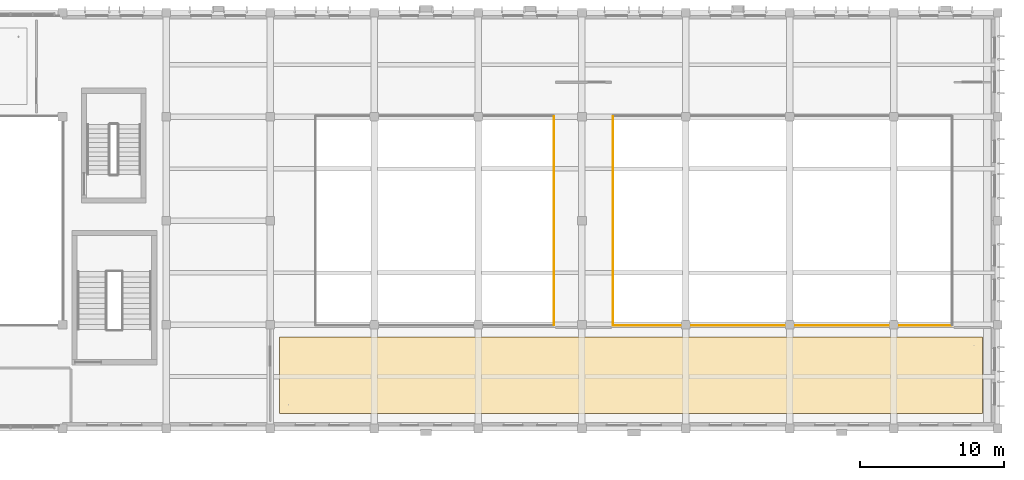
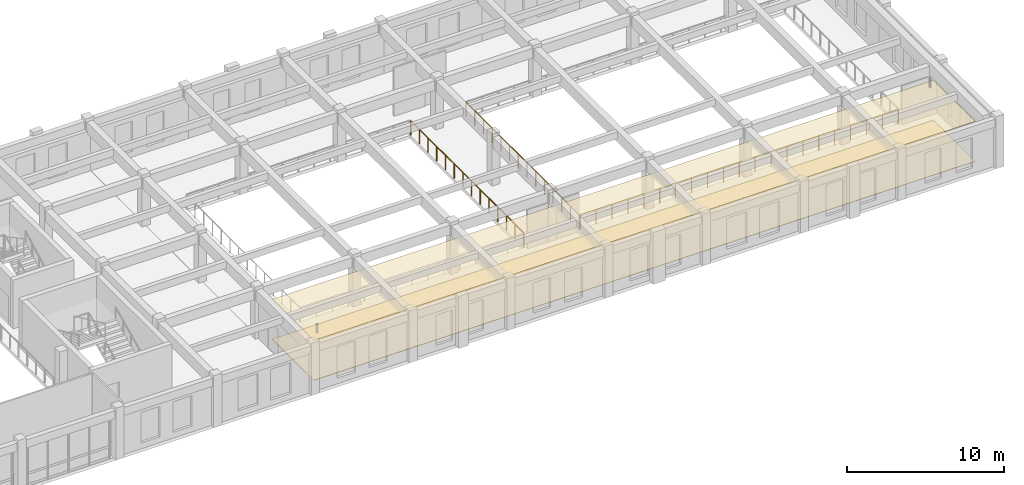
# One storey, part 78 of 88: 3 railings, 2 coverings.
"""IFC4 building model written with IfcOpenShell, lengths in metres."""

from ifc_helpers import new_model, si_unit, direction, frame, origin, origin_2d, place, context, subcontext, project, spatial, polyline, circle, outline, extrude, material, layer, layer_set, type_object, element, save


model = new_model("IFC4")

# Units and contexts
model_context = context("Model", 3, precision=1e-05, world=origin(), true_north=direction((0.0, 1.0)))
body_context = subcontext(model_context, "Body", "Model", "MODEL_VIEW")
ifc_project = project(units=[si_unit("LENGTHUNIT", "METRE"), si_unit("AREAUNIT", "SQUARE_METRE"), si_unit("VOLUMEUNIT", "CUBIC_METRE"), si_unit("PLANEANGLEUNIT", "RADIAN"), si_unit("MASSUNIT", "GRAM", prefix="KILO")], contexts=[model_context])

# Site, building, storey
site_placement = place(None, origin())
site = spatial("IfcSite", under=ifc_project, at=site_placement, CompositionType="ELEMENT")
building_placement = place(site_placement, origin())
building = spatial("IfcBuilding", under=site, at=building_placement, Name="Alvorim Cloister Faculty of Sciences", CompositionType="ELEMENT")
storey_placement = place(building_placement, frame((0.0, 0.0, 4.5)))
storey = spatial("IfcBuildingStorey", under=building, at=storey_placement, Name="L01", CompositionType="ELEMENT", Elevation=4.5)

# Coverings
ifc_material_1 = material(Name="Perforated Timber Acoustic Ceiling", Category="wood")
ifc_layer_1 = layer(ifc_material_1, 0.030029296875)
ifc_layer_set_1 = layer_set([ifc_layer_1], Name="Perforated Timber Acoustic Ceiling")
covering_type_1 = type_object("IfcCoveringType", Name="COV-CEIL-ACOUSTIC", PredefinedType="CEILING", material=ifc_layer_set_1)
covering_1_placement = place(storey_placement, frame((0.0, 0.0, 3.110107421875)))
element("IfcCovering", 1, at=covering_1_placement, inside=storey, type_object=covering_type_1, Name="Lecture Theatre South Seminar Gallery Acoustic Ceiling", PredefinedType="CEILING", context=body_context, shape_type="SweptSolid", body=[
    extrude(outline(polyline([(115.85009765625, 1.050048828125), (164.550048828125, 1.050048828125), (164.550048828125, 6.35009765625), (115.85009765625, 6.35009765625), (115.85009765625, 1.050048828125)])), origin(), (0.0, 0.0, 1.0), 0.02978515625),
])
ifc_material_2 = material(Name="Polished Mineral Terrazzo", Category="concrete")
ifc_layer_2 = layer(ifc_material_2, 0.030029296875)
ifc_layer_set_2 = layer_set([ifc_layer_2], Name="Polished Mineral Terrazzo")
covering_type_2 = type_object("IfcCoveringType", Name="COV-FLR-TERRAZZO", PredefinedType="FLOORING", material=ifc_layer_set_2)
covering_2_placement = place(storey_placement, origin())
element("IfcCovering", 2, at=covering_2_placement, inside=storey, type_object=covering_type_2, Name="Lecture Theatre South Seminar Gallery Floor Finish", PredefinedType="FLOORING", context=body_context, shape_type="SweptSolid", body=[
    extrude(outline(polyline([(115.85009765625, 1.050048828125), (164.550048828125, 1.050048828125), (164.550048828125, 6.35009765625), (115.85009765625, 6.35009765625), (115.85009765625, 1.050048828125)])), origin(), (0.0, 0.0, 1.0), 0.030029296875),
])

# Railings
ifc_material_3 = material(Name="Laminated Safety Glass and Bronze", Category="glass")
railing_type = type_object("IfcRailingType", Name="RL-ATR-BAL-1150", PredefinedType="BALUSTRADE", material=ifc_material_3)
railing_1_placement = place(storey_placement, frame((134.860107421875, 7.18994140625, 0.0)))
element("IfcRailing", 3, at=railing_1_placement, inside=storey, type_object=railing_type, Name="L01 Auditorium Gallery Balustrade 1.2", PredefinedType="BALUSTRADE", context=body_context, shape_type="SweptSolid", body=[
    extrude(circle(Radius=0.02392578125, at=origin_2d()), frame((0.0, 0.0, 1.1259765625), z_axis=(0.0, 1.0, 0.0), x_axis=(-1.0, 0.0, 0.0)), (0.0, 0.0, 1.0), 14.420166015625),
    extrude(circle(Radius=0.02099609375, at=origin_2d()), origin(), (0.0, 0.0, 1.0), 1.101806640625),
    extrude(circle(Radius=0.02099609375, at=origin_2d()), frame((0.0, 1.109130859375, 0.0)), (0.0, 0.0, 1.0), 1.101806640625),
    extrude(circle(Radius=0.02099609375, at=origin_2d()), frame((0.0, 2.218505859375, 0.0)), (0.0, 0.0, 1.0), 1.101806640625),
    extrude(circle(Radius=0.02099609375, at=origin_2d()), frame((0.0, 3.32763671875, 0.0)), (0.0, 0.0, 1.0), 1.101806640625),
    extrude(circle(Radius=0.02099609375, at=origin_2d()), frame((0.0, 4.43701171875, 0.0)), (0.0, 0.0, 1.0), 1.101806640625),
    extrude(circle(Radius=0.02099609375, at=origin_2d()), frame((0.0, 5.546142578125, 0.0)), (0.0, 0.0, 1.0), 1.101806640625),
    extrude(circle(Radius=0.02099609375, at=origin_2d()), frame((0.0, 6.655517578125, 0.0)), (0.0, 0.0, 1.0), 1.101806640625),
    extrude(circle(Radius=0.02099609375, at=origin_2d()), frame((0.0, 7.7646484375, 0.0)), (0.0, 0.0, 1.0), 1.101806640625),
    extrude(circle(Radius=0.02099609375, at=origin_2d()), frame((0.0, 8.8740234375, 0.0)), (0.0, 0.0, 1.0), 1.101806640625),
    extrude(circle(Radius=0.02099609375, at=origin_2d()), frame((0.0, 9.983154296875, 0.0)), (0.0, 0.0, 1.0), 1.101806640625),
    extrude(circle(Radius=0.02099609375, at=origin_2d()), frame((0.0, 11.092529296875, 0.0)), (0.0, 0.0, 1.0), 1.101806640625),
    extrude(circle(Radius=0.02099609375, at=origin_2d()), frame((0.0, 12.20166015625, 0.0)), (0.0, 0.0, 1.0), 1.101806640625),
    extrude(circle(Radius=0.02099609375, at=origin_2d()), frame((0.0, 13.31103515625, 0.0)), (0.0, 0.0, 1.0), 1.101806640625),
    extrude(circle(Radius=0.02099609375, at=origin_2d()), frame((0.0, 14.420166015625, 0.0)), (0.0, 0.0, 1.0), 1.101806640625),
])
railing_2_placement = place(storey_placement, frame((138.989990234375, 7.139892578125, 0.0)))
element("IfcRailing", 4, at=railing_2_placement, inside=storey, type_object=railing_type, Name="L01 Auditorium Gallery Balustrade 2.1", PredefinedType="BALUSTRADE", context=body_context, shape_type="SweptSolid", body=[
    extrude(circle(Radius=0.02392578125, at=origin_2d()), frame((0.0, 0.0, 1.1259765625), z_axis=(1.0, 0.0, 0.0), x_axis=(0.0, 1.0, 0.0)), (0.0, 0.0, 1.0), 23.419921875),
    extrude(circle(Radius=0.02099609375, at=origin_2d()), origin(), (0.0, 0.0, 1.0), 1.101806640625),
    extrude(circle(Radius=0.02099609375, at=origin_2d()), frame((1.1708984375, 0.0, 0.0)), (0.0, 0.0, 1.0), 1.101806640625),
    extrude(circle(Radius=0.02099609375, at=origin_2d()), frame((2.342041015625, 0.0, 0.0)), (0.0, 0.0, 1.0), 1.101806640625),
    extrude(circle(Radius=0.02099609375, at=origin_2d()), frame((3.512939453125, 0.0, 0.0)), (0.0, 0.0, 1.0), 1.101806640625),
    extrude(circle(Radius=0.02099609375, at=origin_2d()), frame((4.68408203125, 0.0, 0.0)), (0.0, 0.0, 1.0), 1.101806640625),
    extrude(circle(Radius=0.02099609375, at=origin_2d()), frame((5.85498046875, 0.0, 0.0)), (0.0, 0.0, 1.0), 1.101806640625),
    extrude(circle(Radius=0.02099609375, at=origin_2d()), frame((7.02587890625, 0.0, 0.0)), (0.0, 0.0, 1.0), 1.101806640625),
    extrude(circle(Radius=0.02099609375, at=origin_2d()), frame((8.197021484375, 0.0, 0.0)), (0.0, 0.0, 1.0), 1.101806640625),
    extrude(circle(Radius=0.02099609375, at=origin_2d()), frame((9.367919921875, 0.0, 0.0)), (0.0, 0.0, 1.0), 1.101806640625),
    extrude(circle(Radius=0.02099609375, at=origin_2d()), frame((10.5390625, 0.0, 0.0)), (0.0, 0.0, 1.0), 1.101806640625),
    extrude(circle(Radius=0.02099609375, at=origin_2d()), frame((11.7099609375, 0.0, 0.0)), (0.0, 0.0, 1.0), 1.101806640625),
    extrude(circle(Radius=0.02099609375, at=origin_2d()), frame((12.880859375, 0.0, 0.0)), (0.0, 0.0, 1.0), 1.101806640625),
    extrude(circle(Radius=0.02099609375, at=origin_2d()), frame((14.052001953125, 0.0, 0.0)), (0.0, 0.0, 1.0), 1.101806640625),
    extrude(circle(Radius=0.02099609375, at=origin_2d()), frame((15.222900390625, 0.0, 0.0)), (0.0, 0.0, 1.0), 1.101806640625),
    extrude(circle(Radius=0.02099609375, at=origin_2d()), frame((16.39404296875, 0.0, 0.0)), (0.0, 0.0, 1.0), 1.101806640625),
    extrude(circle(Radius=0.02099609375, at=origin_2d()), frame((17.56494140625, 0.0, 0.0)), (0.0, 0.0, 1.0), 1.101806640625),
    extrude(circle(Radius=0.02099609375, at=origin_2d()), frame((18.73583984375, 0.0, 0.0)), (0.0, 0.0, 1.0), 1.101806640625),
    extrude(circle(Radius=0.02099609375, at=origin_2d()), frame((19.906982421875, 0.0, 0.0)), (0.0, 0.0, 1.0), 1.101806640625),
    extrude(circle(Radius=0.02099609375, at=origin_2d()), frame((21.077880859375, 0.0, 0.0)), (0.0, 0.0, 1.0), 1.101806640625),
    extrude(circle(Radius=0.02099609375, at=origin_2d()), frame((22.2490234375, 0.0, 0.0)), (0.0, 0.0, 1.0), 1.101806640625),
    extrude(circle(Radius=0.02099609375, at=origin_2d()), frame((23.419921875, 0.0, 0.0)), (0.0, 0.0, 1.0), 1.101806640625),
])
railing_3_placement = place(storey_placement, frame((138.93994140625, 21.610107421875, 0.0)))
element("IfcRailing", 5, at=railing_3_placement, inside=storey, type_object=railing_type, Name="L01 Auditorium Gallery Balustrade 2.4", PredefinedType="BALUSTRADE", context=body_context, shape_type="SweptSolid", body=[
    extrude(circle(Radius=0.02392578125, at=origin_2d()), frame((0.0, 0.0, 1.1259765625), z_axis=(0.0, -1.0, 0.0), x_axis=(1.0, 0.0, 0.0)), (0.0, 0.0, 1.0), 14.420166015625),
    extrude(circle(Radius=0.02099609375, at=origin_2d()), origin(), (0.0, 0.0, 1.0), 1.101806640625),
    extrude(circle(Radius=0.02099609375, at=origin_2d()), frame((0.0, -1.109130859375, 0.0)), (0.0, 0.0, 1.0), 1.101806640625),
    extrude(circle(Radius=0.02099609375, at=origin_2d()), frame((0.0, -2.218505859375, 0.0)), (0.0, 0.0, 1.0), 1.101806640625),
    extrude(circle(Radius=0.02099609375, at=origin_2d()), frame((0.0, -3.32763671875, 0.0)), (0.0, 0.0, 1.0), 1.101806640625),
    extrude(circle(Radius=0.02099609375, at=origin_2d()), frame((0.0, -4.43701171875, 0.0)), (0.0, 0.0, 1.0), 1.101806640625),
    extrude(circle(Radius=0.02099609375, at=origin_2d()), frame((0.0, -5.546142578125, 0.0)), (0.0, 0.0, 1.0), 1.101806640625),
    extrude(circle(Radius=0.02099609375, at=origin_2d()), frame((0.0, -6.655517578125, 0.0)), (0.0, 0.0, 1.0), 1.101806640625),
    extrude(circle(Radius=0.02099609375, at=origin_2d()), frame((0.0, -7.7646484375, 0.0)), (0.0, 0.0, 1.0), 1.101806640625),
    extrude(circle(Radius=0.02099609375, at=origin_2d()), frame((0.0, -8.8740234375, 0.0)), (0.0, 0.0, 1.0), 1.101806640625),
    extrude(circle(Radius=0.02099609375, at=origin_2d()), frame((0.0, -9.983154296875, 0.0)), (0.0, 0.0, 1.0), 1.101806640625),
    extrude(circle(Radius=0.02099609375, at=origin_2d()), frame((0.0, -11.092529296875, 0.0)), (0.0, 0.0, 1.0), 1.101806640625),
    extrude(circle(Radius=0.02099609375, at=origin_2d()), frame((0.0, -12.20166015625, 0.0)), (0.0, 0.0, 1.0), 1.101806640625),
    extrude(circle(Radius=0.02099609375, at=origin_2d()), frame((0.0, -13.31103515625, 0.0)), (0.0, 0.0, 1.0), 1.101806640625),
    extrude(circle(Radius=0.02099609375, at=origin_2d()), frame((0.0, -14.420166015625, 0.0)), (0.0, 0.0, 1.0), 1.101806640625),
])

save(model, "model.ifc")
